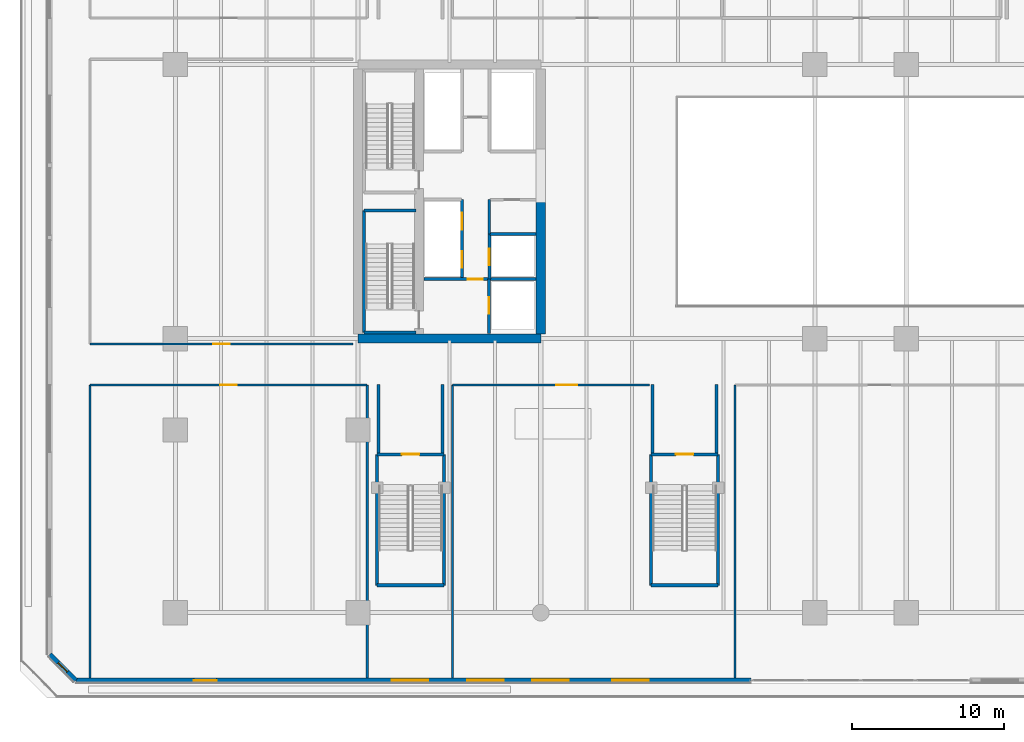
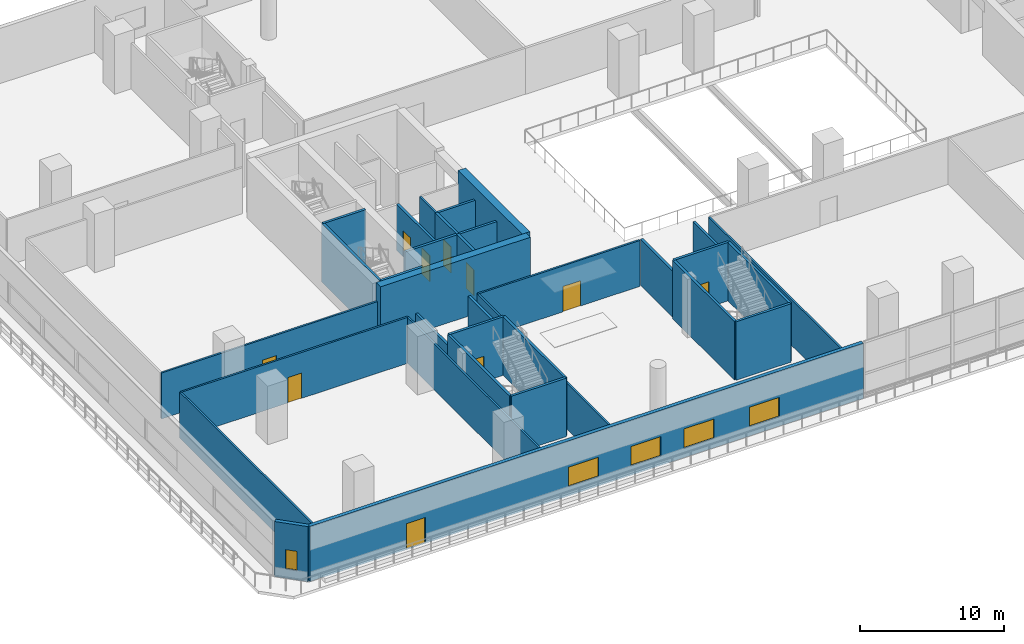
# One storey, part 11 of 27: 32 walls, 11 doors, 5 windows, 16 openings.
"""IFC4 building model written with IfcOpenShell, lengths in metres."""

from ifc_helpers import new_model, si_unit, direction, frame, frame_2d, origin, place, context, subcontext, project, spatial, rectangle, extrude, material, layer, layer_set, type_object, element, fill, save


model = new_model("IFC4")

# Units and contexts
model_context = context("Model", 3, precision=1e-05, world=origin(), true_north=direction((0.0, 1.0)))
body_context = subcontext(model_context, "Body", "Model", "MODEL_VIEW")
ifc_project = project(units=[si_unit("LENGTHUNIT", "METRE"), si_unit("AREAUNIT", "SQUARE_METRE"), si_unit("VOLUMEUNIT", "CUBIC_METRE"), si_unit("PLANEANGLEUNIT", "RADIAN"), si_unit("MASSUNIT", "GRAM", prefix="KILO")], contexts=[model_context])

# Site, building, storey
site_placement = place(None, origin())
site = spatial("IfcSite", under=ifc_project, at=site_placement, CompositionType="ELEMENT")
building_placement = place(site_placement, origin())
building = spatial("IfcBuilding", under=site, at=building_placement, Name="Tanjung Sevakor Pilgrim Tower", CompositionType="ELEMENT")
storey_placement = place(building_placement, frame((0.0, 0.0, 9.89990234375)))
storey = spatial("IfcBuildingStorey", under=building, at=storey_placement, Name="L03", CompositionType="ELEMENT", Elevation=9.89990234375)

# Walls
ifc_material_1 = material(Name="Concrete C60/75", Category="concrete")
ifc_layer_1 = layer(ifc_material_1, 0.60009765625)
ifc_layer_set_1 = layer_set([ifc_layer_1], Name="WALL-CW-600")
wall_type_1 = type_object("IfcWallType", Name="WALL-CW-600", PredefinedType="SHEAR", material=ifc_layer_set_1)
wall_1_placement = place(storey_placement, frame((24.0, 24.60009765625, 0.0), z_axis=(0.0, 0.0, 1.0), x_axis=(1.0, 0.0, 0.0)))
element("IfcWall", 1, at=wall_1_placement, inside=storey, type_object=wall_type_1, Name="L03 W Core South Shear Wall", PredefinedType="SHEAR", context=body_context, shape_type="SweptSolid", body=[
    extrude(rectangle(XDim=12.0, YDim=0.60009765625, at=frame_2d((6.0, 0.0))), origin(), (0.0, 0.0, 1.0), 4.9501953125),
])
wall_2_placement = place(storey_placement, frame((36.0, 24.89990234375, 0.0), z_axis=(0.0, 0.0, 1.0), x_axis=(0.0, 1.0, 0.0)))
element("IfcWall", 2, at=wall_2_placement, inside=storey, type_object=wall_type_1, Name="L03 W Core Inner Shear Wall South", PredefinedType="SHEAR", context=body_context, shape_type="SweptSolid", body=[
    extrude(rectangle(XDim=8.900146484375, YDim=0.60009765625, at=frame_2d((4.4501953125, 0.0))), origin(), (0.0, 0.0, 1.0), 4.9501953125),
])
ifc_material_2 = material(Name="Concrete C40/50", Category="concrete")
ifc_layer_2 = layer(ifc_material_2, 0.14990234375)
ifc_layer_set_2 = layer_set([ifc_layer_2], Name="WT-COMP-150")
wall_type_2 = type_object("IfcWallType", Name="WT-COMP-150", PredefinedType="SOLIDWALL", material=ifc_layer_set_2)
wall_3_placement = place(storey_placement, frame((32.6201171875, 31.47998046875, 0.0), z_axis=(0.0, 0.0, 1.0), x_axis=(0.0, 1.0, 0.0)))
element("IfcWall", 3, at=wall_3_placement, inside=storey, type_object=wall_type_2, Name="L03 Partition IW-L03-008", PredefinedType="SOLIDWALL", context=body_context, shape_type="SweptSolid", body=[
    extrude(rectangle(XDim=2.239990234375, YDim=0.14990234375, at=frame_2d((1.1201171875, 0.0))), origin(), (0.0, 0.0, 1.0), 3.889892578125),
])

# Wall, opening, door
wall_4_placement = place(storey_placement, frame((6.39990234375, 21.550048828125, 0.0), z_axis=(0.0, 0.0, 1.0), x_axis=(1.0, 0.0, 0.0)))
wall_4 = element("IfcWall", 4, at=wall_4_placement, inside=storey, type_object=wall_type_2, Name="L03 Partition IW-L03-039", PredefinedType="SOLIDWALL", context=body_context, shape_type="SweptSolid", body=[
    extrude(rectangle(XDim=18.2001953125, YDim=0.14990234375, at=frame_2d((9.10009765625, 0.0))), origin(), (0.0, 0.0, 1.0), 3.889892578125),
])
opening_1_placement = place(wall_4_placement, frame((8.550048828125, 0.0, 0.0)))
opening_1 = element("IfcOpeningElement", 5, at=opening_1_placement, cuts=wall_4, Name="Opening ID-RM2", PredefinedType="OPENING", context=body_context, shape_type="SweptSolid", body=[
    extrude(rectangle(XDim=1.10009765625, YDim=2.14990234375, at=frame_2d((0.550048828125, 1.074951171875))), frame((0.0, 0.0849609375, 0.0), z_axis=(0.0, -1.0, 0.0), x_axis=(1.0, 0.0, 0.0)), (0.0, 0.0, 1.0), 0.169921875),
])
ifc_material_3 = material(Name="Hardwood Timber", Category="wood")
door_type_1 = type_object("IfcDoorType", Name="DT-INT-1100", OperationType="NOTDEFINED", PredefinedType="DOOR", material=ifc_material_3)
door_1_placement = place(opening_1_placement, origin())
door_1 = element("IfcDoor", 6, at=door_1_placement, inside=storey, type_object=door_type_1, Name="L03 Tea Lounge Door", OperationType="SINGLE_SWING_RIGHT", OverallHeight=2.14990234375, OverallWidth=1.10009765625, PredefinedType="DOOR", context=body_context, shape_type="SweptSolid", body=[
    extrude(rectangle(XDim=1.10009765625, YDim=2.14990234375, at=frame_2d((0.550048828125, 1.074951171875))), frame((0.0, 0.02490234375, 0.0), z_axis=(0.0, -1.0, 0.0), x_axis=(1.0, 0.0, 0.0)), (0.0, 0.0, 1.0), 0.050048828125),
])
fill(opening_1, door_1)

# Walls
for number, where, z_axis, x_axis, name in (
    (7, (6.39990234375, 2.300048828125, 0.0), (0.0, 0.0, 1.0), (0.0, 1.0, 0.0), "L03 Partition IW-L03-040"),
    (8, (24.60009765625, 2.300048828125, 0.0), (0.0, 0.0, 1.0), (0.0, 1.0, 0.0), "L03 Partition IW-L03-041"),
):
    element("IfcWall", number, at=place(storey_placement, frame(where, z_axis=z_axis, x_axis=x_axis)), inside=storey, type_object=wall_type_2, Name=name, PredefinedType="SOLIDWALL", context=body_context, shape_type="SweptSolid", body=[
        extrude(rectangle(XDim=19.25, YDim=0.14990234375, at=frame_2d((9.625, 0.0))), origin(), (0.0, 0.0, 1.0), 3.889892578125),
    ])

# Wall, opening, door
wall_5_placement = place(storey_placement, frame((30.199951171875, 21.550048828125, 0.0), z_axis=(0.0, 0.0, 1.0), x_axis=(1.0, 0.0, 0.0)))
wall_5 = element("IfcWall", 9, at=wall_5_placement, inside=storey, type_object=wall_type_2, Name="L03 Partition IW-L03-042", PredefinedType="SOLIDWALL", context=body_context, shape_type="SweptSolid", body=[
    extrude(rectangle(XDim=12.949951171875, YDim=0.14990234375, at=frame_2d((6.47509765625, 0.0))), origin(), (0.0, 0.0, 1.0), 3.889892578125),
])
opening_2_placement = place(wall_5_placement, frame((6.800048828125, 0.0, 0.0)))
opening_2 = element("IfcOpeningElement", 10, at=opening_2_placement, cuts=wall_5, Name="Opening ID-HD1", PredefinedType="OPENING", context=body_context, shape_type="SweptSolid", body=[
    extrude(rectangle(XDim=1.39990234375, YDim=2.14990234375, at=frame_2d((0.699951171875, 1.074951171875))), frame((0.0, 0.0849609375, 0.0), z_axis=(0.0, -1.0, 0.0), x_axis=(1.0, 0.0, 0.0)), (0.0, 0.0, 1.0), 0.169921875),
])
ifc_material_4 = material(Name="Hardwood Timber", Category="wood")
door_type_2 = type_object("IfcDoorType", Name="DT-INT-1400", OperationType="DOUBLE_DOOR_SINGLE_SWING", PredefinedType="DOOR", material=ifc_material_4)
door_2_placement = place(opening_2_placement, origin())
door_2 = element("IfcDoor", 11, at=door_2_placement, inside=storey, type_object=door_type_2, Name="L03 West Dining Door", OperationType="SINGLE_SWING_LEFT", OverallHeight=2.14990234375, OverallWidth=1.39990234375, PredefinedType="DOOR", context=body_context, shape_type="SweptSolid", body=[
    extrude(rectangle(XDim=1.39990234375, YDim=2.14990234375, at=frame_2d((0.699951171875, 1.074951171875))), frame((0.0, 0.02490234375, 0.0), z_axis=(0.0, -1.0, 0.0), x_axis=(1.0, 0.0, 0.0)), (0.0, 0.0, 1.0), 0.050048828125),
])
fill(opening_2, door_2)

# Walls
for number, where, z_axis, x_axis, name in (
    (12, (30.199951171875, 2.300048828125, 0.0), (0.0, 0.0, 1.0), (0.0, 1.0, 0.0), "L03 Partition IW-L03-043"),
    (13, (48.75, 2.300048828125, 0.0), (0.0, 0.0, 1.0), (0.0, 1.0, 0.0), "L03 Partition IW-L03-045"),
):
    element("IfcWall", number, at=place(storey_placement, frame(where, z_axis=z_axis, x_axis=x_axis)), inside=storey, type_object=wall_type_2, Name=name, PredefinedType="SOLIDWALL", context=body_context, shape_type="SweptSolid", body=[
        extrude(rectangle(XDim=19.25, YDim=0.14990234375, at=frame_2d((9.625, 0.0))), origin(), (0.0, 0.0, 1.0), 3.889892578125),
    ])

# Wall, opening, door
wall_6_placement = place(storey_placement, frame((6.39990234375, 24.25, 0.0), z_axis=(0.0, 0.0, 1.0), x_axis=(1.0, 0.0, 0.0)))
wall_6 = element("IfcWall", 14, at=wall_6_placement, inside=storey, type_object=wall_type_2, Name="L03 Partition IW-L03-062", PredefinedType="SOLIDWALL", context=body_context, shape_type="SweptSolid", body=[
    extrude(rectangle(XDim=17.280029296875, YDim=0.14990234375, at=frame_2d((8.64013671875, 0.0))), origin(), (0.0, 0.0, 1.0), 3.889892578125),
])
opening_3_placement = place(wall_6_placement, frame((8.090087890625, 0.0, 0.0)))
opening_3 = element("IfcOpeningElement", 15, at=opening_3_placement, cuts=wall_6, Name="Opening ID-RM2", PredefinedType="OPENING", context=body_context, shape_type="SweptSolid", body=[
    extrude(rectangle(XDim=1.10009765625, YDim=2.14990234375, at=frame_2d((0.550048828125, 1.074951171875))), frame((0.0, 0.0849609375, 0.0), z_axis=(0.0, -1.0, 0.0), x_axis=(1.0, 0.0, 0.0)), (0.0, 0.0, 1.0), 0.169921875),
])
door_3_placement = place(opening_3_placement, origin())
door_3 = element("IfcDoor", 16, at=door_3_placement, inside=storey, type_object=door_type_1, Name="L03 West Council Door", OperationType="SINGLE_SWING_LEFT", OverallHeight=2.14990234375, OverallWidth=1.10009765625, PredefinedType="DOOR", context=body_context, shape_type="SweptSolid", body=[
    extrude(rectangle(XDim=1.10009765625, YDim=2.14990234375, at=frame_2d((0.550048828125, 1.074951171875))), frame((0.0, 0.02490234375, 0.0), z_axis=(0.0, -1.0, 0.0), x_axis=(1.0, 0.0, 0.0)), (0.0, 0.0, 1.0), 0.050048828125),
])
fill(opening_3, door_3)

# Wall, openings, door, windows
ifc_material_5 = material(Name="Precast concrete C45/55", Category="concrete")
ifc_layer_3 = layer(ifc_material_5, 0.300048828125)
ifc_layer_set_3 = layer_set([ifc_layer_3], Name="WT-EW-STN1")
wall_type_3 = type_object("IfcWallType", Name="WT-EW-STN1", PredefinedType="SOLIDWALL", material=ifc_layer_set_3)
wall_7_placement = place(storey_placement, frame((5.462158203125, 2.14990234375, 0.0), z_axis=(0.0, 0.0, 1.0), x_axis=(1.0, 0.0, 0.0)))
wall_7 = element("IfcWall", 17, at=wall_7_placement, inside=storey, type_object=wall_type_3, Name="L03 Cascading Podium Limestone Wall S1", PredefinedType="SOLIDWALL", context=body_context, shape_type="SweptSolid", body=[
    extrude(rectangle(XDim=44.337890625, YDim=0.300048828125, at=frame_2d((22.1689453125, 0.0))), origin(), (0.0, 0.0, 1.0), 4.669921875),
])
opening_4_placement = place(wall_7_placement, frame((7.75, 0.0, 0.0)))
opening_4 = element("IfcOpeningElement", 18, at=opening_4_placement, cuts=wall_7, Name="Opening ED-TER-1500", PredefinedType="OPENING", context=body_context, shape_type="SweptSolid", body=[
    extrude(rectangle(XDim=1.5, YDim=2.199951171875, at=frame_2d((0.75, 1.10009765625))), frame((0.0, 0.159912109375, 0.0), z_axis=(0.0, -1.0, 0.0), x_axis=(1.0, 0.0, 0.0)), (0.0, 0.0, 1.0), 0.320068359375),
])
opening_5_placement = place(wall_7_placement, frame((29.98779296875, 0.0, 0.780029296875)))
opening_5 = element("IfcOpeningElement", 19, at=opening_5_placement, cuts=wall_7, Name="Opening WN-P1-1660", PredefinedType="OPENING", context=body_context, shape_type="SweptSolid", body=[
    extrude(rectangle(XDim=2.39990234375, YDim=1.659912109375, at=frame_2d((1.199951171875, 0.830078125))), frame((0.0, 0.159912109375, 0.0), z_axis=(0.0, -1.0, 0.0), x_axis=(1.0, 0.0, 0.0)), (0.0, 0.0, 1.0), 0.320068359375),
])
opening_6_placement = place(wall_7_placement, frame((20.73779296875, 0.0, 0.780029296875)))
opening_6 = element("IfcOpeningElement", 20, at=opening_6_placement, cuts=wall_7, Name="Opening WN-P1-1660", PredefinedType="OPENING", context=body_context, shape_type="SweptSolid", body=[
    extrude(rectangle(XDim=2.39990234375, YDim=1.659912109375, at=frame_2d((1.199951171875, 0.830078125))), frame((0.0, 0.159912109375, 0.0), z_axis=(0.0, -1.0, 0.0), x_axis=(1.0, 0.0, 0.0)), (0.0, 0.0, 1.0), 0.320068359375),
])
opening_7_placement = place(wall_7_placement, frame((25.718994140625, 0.0, 0.780029296875)))
opening_7 = element("IfcOpeningElement", 21, at=opening_7_placement, cuts=wall_7, Name="Opening WN-P1-1660", PredefinedType="OPENING", context=body_context, shape_type="SweptSolid", body=[
    extrude(rectangle(XDim=2.39990234375, YDim=1.659912109375, at=frame_2d((1.199951171875, 0.830078125))), frame((0.0, 0.159912109375, 0.0), z_axis=(0.0, -1.0, 0.0), x_axis=(1.0, 0.0, 0.0)), (0.0, 0.0, 1.0), 0.320068359375),
])
opening_8_placement = place(wall_7_placement, frame((35.218994140625, 0.0, 0.780029296875)))
opening_8 = element("IfcOpeningElement", 22, at=opening_8_placement, cuts=wall_7, Name="Opening WN-P1-1660", PredefinedType="OPENING", context=body_context, shape_type="SweptSolid", body=[
    extrude(rectangle(XDim=2.39990234375, YDim=1.659912109375, at=frame_2d((1.199951171875, 0.830078125))), frame((0.0, 0.159912109375, 0.0), z_axis=(0.0, -1.0, 0.0), x_axis=(1.0, 0.0, 0.0)), (0.0, 0.0, 1.0), 0.320068359375),
])
ifc_material_6 = material(Name="Anodised Aluminium and Laminated Glass", Category="aluminium")
door_type_3 = type_object("IfcDoorType", Name="DTYP-ED-TER-1500", OperationType="DOUBLE_DOOR_SINGLE_SWING", PredefinedType="DOOR", material=ifc_material_6)
door_4_placement = place(opening_4_placement, frame((1.5, 0.0, 0.0), z_axis=(0.0, 0.0, 1.0), x_axis=(-1.0, 0.0, 0.0)))
door_4 = element("IfcDoor", 23, at=door_4_placement, inside=storey, type_object=door_type_3, Name="L03 Cascading Garden Terrace Door S", OperationType="SINGLE_SWING_RIGHT", OverallHeight=2.199951171875, OverallWidth=1.5, PredefinedType="DOOR", context=body_context, shape_type="SweptSolid", body=[
    extrude(rectangle(XDim=1.5, YDim=2.199951171875, at=frame_2d((0.75, 1.10009765625))), frame((0.0, 0.02490234375, 0.0), z_axis=(0.0, -1.0, 0.0), x_axis=(1.0, 0.0, 0.0)), (0.0, 0.0, 1.0), 0.050048828125),
])
fill(opening_4, door_4)
ifc_material_7 = material(Name="Thermally Broken Aluminium and Low-E Glass", Category="aluminium")
window_type_1 = type_object("IfcWindowType", Name="WTYP-WN-P1-1660", PartitioningType="DOUBLE_PANEL_VERTICAL", PredefinedType="WINDOW", material=ifc_material_7)
window_1_placement = place(opening_5_placement, origin())
window_1 = element("IfcWindow", 24, at=window_1_placement, inside=storey, type_object=window_type_1, Name="L03 Facade Window 01", OverallHeight=1.659912109375, OverallWidth=2.39990234375, PartitioningType="SINGLE_PANEL", PredefinedType="WINDOW", context=body_context, shape_type="SweptSolid", body=[
    extrude(rectangle(XDim=2.39990234375, YDim=1.659912109375, at=frame_2d((1.199951171875, 0.830078125))), frame((0.0, 0.030029296875, 0.0), z_axis=(0.0, -1.0, 0.0), x_axis=(1.0, 0.0, 0.0)), (0.0, 0.0, 1.0), 0.06005859375),
])
fill(opening_5, window_1)
window_2_placement = place(opening_6_placement, origin())
window_2 = element("IfcWindow", 25, at=window_2_placement, inside=storey, type_object=window_type_1, Name="L03 Facade Window 02", OverallHeight=1.659912109375, OverallWidth=2.39990234375, PartitioningType="SINGLE_PANEL", PredefinedType="WINDOW", context=body_context, shape_type="SweptSolid", body=[
    extrude(rectangle(XDim=2.39990234375, YDim=1.659912109375, at=frame_2d((1.199951171875, 0.830078125))), frame((0.0, 0.030029296875, 0.0), z_axis=(0.0, -1.0, 0.0), x_axis=(1.0, 0.0, 0.0)), (0.0, 0.0, 1.0), 0.06005859375),
])
fill(opening_6, window_2)
window_3_placement = place(opening_7_placement, origin())
window_3 = element("IfcWindow", 26, at=window_3_placement, inside=storey, type_object=window_type_1, Name="L03 Facade Window 03", OverallHeight=1.659912109375, OverallWidth=2.39990234375, PartitioningType="SINGLE_PANEL", PredefinedType="WINDOW", context=body_context, shape_type="SweptSolid", body=[
    extrude(rectangle(XDim=2.39990234375, YDim=1.659912109375, at=frame_2d((1.199951171875, 0.830078125))), frame((0.0, 0.030029296875, 0.0), z_axis=(0.0, -1.0, 0.0), x_axis=(1.0, 0.0, 0.0)), (0.0, 0.0, 1.0), 0.06005859375),
])
fill(opening_7, window_3)
window_4_placement = place(opening_8_placement, origin())
window_4 = element("IfcWindow", 27, at=window_4_placement, inside=storey, type_object=window_type_1, Name="L03 Facade Window 04", OverallHeight=1.659912109375, OverallWidth=2.39990234375, PartitioningType="SINGLE_PANEL", PredefinedType="WINDOW", context=body_context, shape_type="SweptSolid", body=[
    extrude(rectangle(XDim=2.39990234375, YDim=1.659912109375, at=frame_2d((1.199951171875, 0.830078125))), frame((0.0, 0.030029296875, 0.0), z_axis=(0.0, -1.0, 0.0), x_axis=(1.0, 0.0, 0.0)), (0.0, 0.0, 1.0), 0.06005859375),
])
fill(opening_8, window_4)

# Wall, opening, window
wall_8_placement = place(storey_placement, frame((3.75, 3.862060546875, 0.0), z_axis=(0.0, 0.0, 1.0), x_axis=(0.707106781187, -0.707106781187, 0.0)))
wall_8 = element("IfcWall", 28, at=wall_8_placement, inside=storey, type_object=wall_type_3, Name="L03 MAIN Exterior Wall 8", PredefinedType="SOLIDWALL", context=body_context, shape_type="SweptSolid", body=[
    extrude(rectangle(XDim=2.42138671875, YDim=0.300048828125, at=frame_2d((1.210693359375, 0.0))), origin(), (0.0, 0.0, 1.0), 4.669921875),
])
opening_9_placement = place(wall_8_placement, frame((0.78564453125, 0.0, 0.780029296875)))
opening_9 = element("IfcOpeningElement", 29, at=opening_9_placement, cuts=wall_8, Name="Opening WN-SLM", PredefinedType="OPENING", context=body_context, shape_type="SweptSolid", body=[
    extrude(rectangle(XDim=0.85009765625, YDim=1.64990234375, at=frame_2d((0.425048828125, 0.824951171875))), frame((0.0, 0.159912109375, 0.0), z_axis=(0.0, -1.0, 0.0), x_axis=(1.0, 0.0, 0.0)), (0.0, 0.0, 1.0), 0.320068359375),
])
ifc_material_8 = material(Name="Thermally Broken Aluminium and Low-E Glass", Category="aluminium")
window_type_2 = type_object("IfcWindowType", Name="WTYP-WN-SLM", PartitioningType="SINGLE_PANEL", PredefinedType="WINDOW", material=ifc_material_8)
window_5_placement = place(opening_9_placement, origin())
window_5 = element("IfcWindow", 30, at=window_5_placement, inside=storey, type_object=window_type_2, Name="L03 Facade Window 01", OverallHeight=1.64990234375, OverallWidth=0.85009765625, PartitioningType="SINGLE_PANEL", PredefinedType="WINDOW", context=body_context, shape_type="SweptSolid", body=[
    extrude(rectangle(XDim=0.85009765625, YDim=1.64990234375, at=frame_2d((0.425048828125, 0.824951171875))), frame((0.0, 0.030029296875, 0.0), z_axis=(0.0, -1.0, 0.0), x_axis=(1.0, 0.0, 0.0)), (0.0, 0.0, 1.0), 0.06005859375),
])
fill(opening_9, window_5)

# Walls
ifc_material_9 = material(Name="Concrete C40/50", Category="concrete")
ifc_layer_4 = layer(ifc_material_9, 0.199951171875)
ifc_layer_set_4 = layer_set([ifc_layer_4], Name="WT-FIRE-200")
wall_type_4 = type_object("IfcWallType", Name="WT-FIRE-200", PredefinedType="SOLIDWALL", material=ifc_layer_set_4)
for number, where, z_axis, x_axis, name in (
    (31, (24.39990234375, 25.0, 0.0), (0.0, 0.0, 1.0), (1.0, 0.0, 0.0), "L03 TS-W1 Shaft Wall 1"),
    (32, (27.800048828125, 33.0, 0.0), (0.0, 0.0, 1.0), (-1.0, 0.0, 0.0), "L03 TS-W1 Shaft Wall 2"),
):
    element("IfcWall", number, at=place(storey_placement, frame(where, z_axis=z_axis, x_axis=x_axis)), inside=storey, type_object=wall_type_4, Name=name, PredefinedType="SOLIDWALL", context=body_context, shape_type="SweptSolid", body=[
        extrude(rectangle(XDim=3.400146484375, YDim=0.199951171875, at=frame_2d((1.7001953125, 0.0))), origin(), (0.0, 0.0, 1.0), 4.9501953125),
    ])
wall_9_placement = place(storey_placement, frame((24.39990234375, 33.0, 0.0), z_axis=(0.0, 0.0, 1.0), x_axis=(0.0, -1.0, 0.0)))
element("IfcWall", 33, at=wall_9_placement, inside=storey, type_object=wall_type_4, Name="L03 TS-W1 Shaft Wall 3", PredefinedType="SOLIDWALL", context=body_context, shape_type="SweptSolid", body=[
    extrude(rectangle(XDim=8.0, YDim=0.199951171875, at=frame_2d((4.0, 0.0))), origin(), (0.0, 0.0, 1.0), 4.9501953125),
])
wall_10_placement = place(storey_placement, frame((25.25, 8.39990234375, 0.0), z_axis=(0.0, 0.0, 1.0), x_axis=(1.0, 0.0, 0.0)))
element("IfcWall", 34, at=wall_10_placement, inside=storey, type_object=wall_type_4, Name="L03 PS-1 Shaft Wall 1", PredefinedType="SOLIDWALL", context=body_context, shape_type="SweptSolid", body=[
    extrude(rectangle(XDim=4.39990234375, YDim=0.199951171875, at=frame_2d((2.199951171875, 0.0))), origin(), (0.0, 0.0, 1.0), 4.9501953125),
])
wall_11_placement = place(storey_placement, frame((29.64990234375, 8.39990234375, 0.0), z_axis=(0.0, 0.0, 1.0), x_axis=(0.0, 1.0, 0.0)))
element("IfcWall", 35, at=wall_11_placement, inside=storey, type_object=wall_type_4, Name="L03 PS-1 Shaft Wall 2", PredefinedType="SOLIDWALL", context=body_context, shape_type="SweptSolid", body=[
    extrude(rectangle(XDim=8.60009765625, YDim=0.199951171875, at=frame_2d((4.300048828125, 0.0))), origin(), (0.0, 0.0, 1.0), 4.9501953125),
])

# Wall, opening, door
wall_12_placement = place(storey_placement, frame((29.64990234375, 17.0, 0.0), z_axis=(0.0, 0.0, 1.0), x_axis=(-1.0, 0.0, 0.0)))
wall_12 = element("IfcWall", 36, at=wall_12_placement, inside=storey, type_object=wall_type_4, Name="L03 PS-1 Shaft Wall 3", PredefinedType="SOLIDWALL", context=body_context, shape_type="SweptSolid", body=[
    extrude(rectangle(XDim=4.39990234375, YDim=0.199951171875, at=frame_2d((2.199951171875, 0.0))), origin(), (0.0, 0.0, 1.0), 4.9501953125),
])
opening_10_placement = place(wall_12_placement, frame((1.625, 0.0, 0.0)))
opening_10 = element("IfcOpeningElement", 37, at=opening_10_placement, cuts=wall_12, Name="Opening ID-ST1", PredefinedType="OPENING", context=body_context, shape_type="SweptSolid", body=[
    extrude(rectangle(XDim=1.14990234375, YDim=2.14990234375, at=frame_2d((0.574951171875, 1.074951171875))), frame((0.0, 0.10986328125, 0.0), z_axis=(0.0, -1.0, 0.0), x_axis=(1.0, 0.0, 0.0)), (0.0, 0.0, 1.0), 0.219970703125),
])
ifc_material_10 = material(Name="Fire-Rated Steel S355J2", Category="steel")
door_type_4 = type_object("IfcDoorType", Name="DT-FIRE-1150", OperationType="NOTDEFINED", PredefinedType="DOOR", material=ifc_material_10)
door_5_placement = place(opening_10_placement, origin())
door_5 = element("IfcDoor", 38, at=door_5_placement, inside=storey, type_object=door_type_4, Name="L03 PS-1 Stair Entry Fire Door", OperationType="SINGLE_SWING_RIGHT", OverallHeight=2.14990234375, OverallWidth=1.14990234375, PredefinedType="DOOR", context=body_context, shape_type="SweptSolid", body=[
    extrude(rectangle(XDim=1.14990234375, YDim=2.14990234375, at=frame_2d((0.574951171875, 1.074951171875))), frame((0.0, 0.02490234375, 0.0), z_axis=(0.0, -1.0, 0.0), x_axis=(1.0, 0.0, 0.0)), (0.0, 0.0, 1.0), 0.050048828125),
])
fill(opening_10, door_5)

# Walls
wall_13_placement = place(storey_placement, frame((25.25, 17.0, 0.0), z_axis=(0.0, 0.0, 1.0), x_axis=(0.0, -1.0, 0.0)))
element("IfcWall", 39, at=wall_13_placement, inside=storey, type_object=wall_type_4, Name="L03 PS-1 Shaft Wall 4", PredefinedType="SOLIDWALL", context=body_context, shape_type="SweptSolid", body=[
    extrude(rectangle(XDim=8.60009765625, YDim=0.199951171875, at=frame_2d((4.300048828125, 0.0))), origin(), (0.0, 0.0, 1.0), 4.9501953125),
])
wall_14_placement = place(storey_placement, frame((43.25, 8.39990234375, 0.0), z_axis=(0.0, 0.0, 1.0), x_axis=(1.0, 0.0, 0.0)))
element("IfcWall", 40, at=wall_14_placement, inside=storey, type_object=wall_type_4, Name="L03 PS-3 Shaft Wall 1", PredefinedType="SOLIDWALL", context=body_context, shape_type="SweptSolid", body=[
    extrude(rectangle(XDim=4.39990234375, YDim=0.199951171875, at=frame_2d((2.199951171875, 0.0))), origin(), (0.0, 0.0, 1.0), 4.9501953125),
])
wall_15_placement = place(storey_placement, frame((47.64990234375, 8.39990234375, 0.0), z_axis=(0.0, 0.0, 1.0), x_axis=(0.0, 1.0, 0.0)))
element("IfcWall", 41, at=wall_15_placement, inside=storey, type_object=wall_type_4, Name="L03 PS-3 Shaft Wall 2", PredefinedType="SOLIDWALL", context=body_context, shape_type="SweptSolid", body=[
    extrude(rectangle(XDim=8.60009765625, YDim=0.199951171875, at=frame_2d((4.300048828125, 0.0))), origin(), (0.0, 0.0, 1.0), 4.9501953125),
])

# Wall, opening, door
wall_16_placement = place(storey_placement, frame((47.64990234375, 17.0, 0.0), z_axis=(0.0, 0.0, 1.0), x_axis=(-1.0, 0.0, 0.0)))
wall_16 = element("IfcWall", 42, at=wall_16_placement, inside=storey, type_object=wall_type_4, Name="L03 PS-3 Shaft Wall 3", PredefinedType="SOLIDWALL", context=body_context, shape_type="SweptSolid", body=[
    extrude(rectangle(XDim=4.39990234375, YDim=0.199951171875, at=frame_2d((2.199951171875, 0.0))), origin(), (0.0, 0.0, 1.0), 4.9501953125),
])
opening_11_placement = place(wall_16_placement, frame((1.625, 0.0, 0.0)))
opening_11 = element("IfcOpeningElement", 43, at=opening_11_placement, cuts=wall_16, Name="Opening ID-ST1", PredefinedType="OPENING", context=body_context, shape_type="SweptSolid", body=[
    extrude(rectangle(XDim=1.14990234375, YDim=2.14990234375, at=frame_2d((0.574951171875, 1.074951171875))), frame((0.0, 0.10986328125, 0.0), z_axis=(0.0, -1.0, 0.0), x_axis=(1.0, 0.0, 0.0)), (0.0, 0.0, 1.0), 0.219970703125),
])
door_6_placement = place(opening_11_placement, origin())
door_6 = element("IfcDoor", 44, at=door_6_placement, inside=storey, type_object=door_type_4, Name="L03 PS-3 Stair Entry Fire Door", OperationType="SINGLE_SWING_RIGHT", OverallHeight=2.14990234375, OverallWidth=1.14990234375, PredefinedType="DOOR", context=body_context, shape_type="SweptSolid", body=[
    extrude(rectangle(XDim=1.14990234375, YDim=2.14990234375, at=frame_2d((0.574951171875, 1.074951171875))), frame((0.0, 0.02490234375, 0.0), z_axis=(0.0, -1.0, 0.0), x_axis=(1.0, 0.0, 0.0)), (0.0, 0.0, 1.0), 0.050048828125),
])
fill(opening_11, door_6)

# Wall
wall_17_placement = place(storey_placement, frame((43.25, 17.0, 0.0), z_axis=(0.0, 0.0, 1.0), x_axis=(0.0, -1.0, 0.0)))
element("IfcWall", 45, at=wall_17_placement, inside=storey, type_object=wall_type_4, Name="L03 PS-3 Shaft Wall 4", PredefinedType="SOLIDWALL", context=body_context, shape_type="SweptSolid", body=[
    extrude(rectangle(XDim=8.60009765625, YDim=0.199951171875, at=frame_2d((4.300048828125, 0.0))), origin(), (0.0, 0.0, 1.0), 4.9501953125),
])

# Wall, opening, door
ifc_material_11 = material(Name="Concrete C40/50", Category="concrete")
ifc_layer_5 = layer(ifc_material_11, 0.199951171875)
ifc_layer_set_5 = layer_set([ifc_layer_5], Name="WT-FPRT-200")
wall_type_5 = type_object("IfcWallType", Name="WT-FPRT-200", PredefinedType="SOLIDWALL", material=ifc_layer_set_5)
wall_18_placement = place(storey_placement, frame((32.60009765625, 24.919921875, 0.0), z_axis=(0.0, 0.0, 1.0), x_axis=(0.0, 1.0, 0.0)))
wall_18 = element("IfcWall", 46, at=wall_18_placement, inside=storey, type_object=wall_type_5, Name="L03 Partition IW-L03-001", PredefinedType="SOLIDWALL", context=body_context, shape_type="SweptSolid", body=[
    extrude(rectangle(XDim=3.580078125, YDim=0.199951171875, at=frame_2d((1.7900390625, 0.0))), origin(), (0.0, 0.0, 1.0), 3.889892578125),
])
opening_12_placement = place(wall_18_placement, frame((1.300048828125, 0.0, 0.0)))
opening_12 = element("IfcOpeningElement", 47, at=opening_12_placement, cuts=wall_18, Name="Opening LD-1100", PredefinedType="OPENING", context=body_context, shape_type="SweptSolid", body=[
    extrude(rectangle(XDim=1.10009765625, YDim=2.199951171875, at=frame_2d((0.550048828125, 1.10009765625))), frame((0.0, 0.10986328125, 0.0), z_axis=(0.0, -1.0, 0.0), x_axis=(1.0, 0.0, 0.0)), (0.0, 0.0, 1.0), 0.219970703125),
])
ifc_material_12 = material(Name="Brushed Stainless Steel S355J2", Category="steel")
door_type_5 = type_object("IfcDoorType", Name="DT-LIFT-1100", OperationType="SLIDING_TO_LEFT", PredefinedType="DOOR", material=ifc_material_12)
door_7_placement = place(opening_12_placement, origin())
door_7 = element("IfcDoor", 48, at=door_7_placement, inside=storey, type_object=door_type_5, Name="LD-FL-W", OperationType="SLIDING_TO_LEFT", OverallHeight=2.199951171875, OverallWidth=1.10009765625, PredefinedType="DOOR", context=body_context, shape_type="SweptSolid", body=[
    extrude(rectangle(XDim=1.10009765625, YDim=2.199951171875, at=frame_2d((0.550048828125, 1.10009765625))), frame((0.0, 0.02490234375, 0.0), z_axis=(0.0, -1.0, 0.0), x_axis=(1.0, 0.0, 0.0)), (0.0, 0.0, 1.0), 0.050048828125),
])
fill(opening_12, door_7)

wall_19_placement = place(storey_placement, frame((28.320068359375, 28.5, 0.0), z_axis=(0.0, 0.0, 1.0), x_axis=(1.0, 0.0, 0.0)))
wall_19 = element("IfcWall", 49, at=wall_19_placement, inside=storey, type_object=wall_type_5, Name="L03 Partition IW-L03-002", PredefinedType="SOLIDWALL", context=body_context, shape_type="SweptSolid", body=[
    extrude(rectangle(XDim=7.35986328125, YDim=0.199951171875, at=frame_2d((3.679931640625, 0.0))), origin(), (0.0, 0.0, 1.0), 3.889892578125),
])
opening_13_placement = place(wall_19_placement, frame((2.8798828125, 0.0, 0.0)))
opening_13 = element("IfcOpeningElement", 50, at=opening_13_placement, cuts=wall_19, Name="Opening ID-FD1", PredefinedType="OPENING", context=body_context, shape_type="SweptSolid", body=[
    extrude(rectangle(XDim=1.0, YDim=2.14990234375, at=frame_2d((0.5, 1.074951171875))), frame((0.0, 0.10986328125, 0.0), z_axis=(0.0, -1.0, 0.0), x_axis=(1.0, 0.0, 0.0)), (0.0, 0.0, 1.0), 0.219970703125),
])
ifc_material_13 = material(Name="Fire-Rated Steel S355J2", Category="steel")
door_type_6 = type_object("IfcDoorType", Name="DT-FIRE-1000", OperationType="NOTDEFINED", PredefinedType="DOOR", material=ifc_material_13)
door_8_placement = place(opening_13_placement, origin())
door_8 = element("IfcDoor", 51, at=door_8_placement, inside=storey, type_object=door_type_6, Name="Fire Lobby Door W", OperationType="SINGLE_SWING_LEFT", OverallHeight=2.14990234375, OverallWidth=1.0, PredefinedType="DOOR", context=body_context, shape_type="SweptSolid", body=[
    extrude(rectangle(XDim=1.0, YDim=2.14990234375, at=frame_2d((0.5, 1.074951171875))), frame((0.0, 0.02490234375, 0.0), z_axis=(0.0, -1.0, 0.0), x_axis=(1.0, 0.0, 0.0)), (0.0, 0.0, 1.0), 0.050048828125),
])
fill(opening_13, door_8)

# Wall, openings, doors
wall_20_placement = place(storey_placement, frame((30.820068359375, 28.5, 0.0), z_axis=(0.0, 0.0, 1.0), x_axis=(0.0, 1.0, 0.0)))
wall_20 = element("IfcWall", 52, at=wall_20_placement, inside=storey, type_object=wall_type_5, Name="L03 Partition IW-L03-005", PredefinedType="SOLIDWALL", context=body_context, shape_type="SweptSolid", body=[
    extrude(rectangle(XDim=5.219970703125, YDim=0.199951171875, at=frame_2d((2.60986328125, 0.0))), origin(), (0.0, 0.0, 1.0), 3.889892578125),
])
opening_14_placement = place(wall_20_placement, frame((0.75, 0.0, 0.0)))
opening_14 = element("IfcOpeningElement", 53, at=opening_14_placement, cuts=wall_20, Name="Opening LD-1100", PredefinedType="OPENING", context=body_context, shape_type="SweptSolid", body=[
    extrude(rectangle(XDim=1.10009765625, YDim=2.199951171875, at=frame_2d((0.550048828125, 1.10009765625))), frame((0.0, 0.10986328125, 0.0), z_axis=(0.0, -1.0, 0.0), x_axis=(1.0, 0.0, 0.0)), (0.0, 0.0, 1.0), 0.219970703125),
])
opening_15_placement = place(wall_20_placement, frame((3.25, 0.0, 0.0)))
opening_15 = element("IfcOpeningElement", 54, at=opening_15_placement, cuts=wall_20, Name="Opening LD-1100", PredefinedType="OPENING", context=body_context, shape_type="SweptSolid", body=[
    extrude(rectangle(XDim=1.10009765625, YDim=2.199951171875, at=frame_2d((0.550048828125, 1.10009765625))), frame((0.0, 0.10986328125, 0.0), z_axis=(0.0, -1.0, 0.0), x_axis=(1.0, 0.0, 0.0)), (0.0, 0.0, 1.0), 0.219970703125),
])
door_9_placement = place(opening_14_placement, origin())
door_9 = element("IfcDoor", 55, at=door_9_placement, inside=storey, type_object=door_type_5, Name="LD-PLL1-W", OperationType="SLIDING_TO_LEFT", OverallHeight=2.199951171875, OverallWidth=1.10009765625, PredefinedType="DOOR", context=body_context, shape_type="SweptSolid", body=[
    extrude(rectangle(XDim=1.10009765625, YDim=2.199951171875, at=frame_2d((0.550048828125, 1.10009765625))), frame((0.0, 0.02490234375, 0.0), z_axis=(0.0, -1.0, 0.0), x_axis=(1.0, 0.0, 0.0)), (0.0, 0.0, 1.0), 0.050048828125),
])
fill(opening_14, door_9)
door_10_placement = place(opening_15_placement, origin())
door_10 = element("IfcDoor", 56, at=door_10_placement, inside=storey, type_object=door_type_5, Name="LD-PLL2-W", OperationType="SLIDING_TO_RIGHT", OverallHeight=2.199951171875, OverallWidth=1.10009765625, PredefinedType="DOOR", context=body_context, shape_type="SweptSolid", body=[
    extrude(rectangle(XDim=1.10009765625, YDim=2.199951171875, at=frame_2d((0.550048828125, 1.10009765625))), frame((0.0, 0.02490234375, 0.0), z_axis=(0.0, -1.0, 0.0), x_axis=(1.0, 0.0, 0.0)), (0.0, 0.0, 1.0), 0.050048828125),
])
fill(opening_15, door_10)

# Wall
wall_21_placement = place(storey_placement, frame((32.679931640625, 31.47998046875, 0.0), z_axis=(0.0, 0.0, 1.0), x_axis=(1.0, 0.0, 0.0)))
element("IfcWall", 57, at=wall_21_placement, inside=storey, type_object=wall_type_5, Name="L03 Partition IW-L03-006", PredefinedType="SOLIDWALL", context=body_context, shape_type="SweptSolid", body=[
    extrude(rectangle(XDim=3.0, YDim=0.199951171875, at=frame_2d((1.5, 0.0))), origin(), (0.0, 0.0, 1.0), 3.889892578125),
])

# Wall, opening, door
wall_22_placement = place(storey_placement, frame((32.6201171875, 28.5, 0.0), z_axis=(0.0, 0.0, 1.0), x_axis=(0.0, 1.0, 0.0)))
wall_22 = element("IfcWall", 58, at=wall_22_placement, inside=storey, type_object=wall_type_5, Name="L03 Partition IW-L03-007", PredefinedType="SOLIDWALL", context=body_context, shape_type="SweptSolid", body=[
    extrude(rectangle(XDim=2.97998046875, YDim=0.199951171875, at=frame_2d((1.489990234375, 0.0))), origin(), (0.0, 0.0, 1.0), 3.889892578125),
])
opening_16_placement = place(wall_22_placement, frame((0.89990234375, 0.0, 0.0)))
opening_16 = element("IfcOpeningElement", 59, at=opening_16_placement, cuts=wall_22, Name="Opening LD-1100", PredefinedType="OPENING", context=body_context, shape_type="SweptSolid", body=[
    extrude(rectangle(XDim=1.10009765625, YDim=2.199951171875, at=frame_2d((0.550048828125, 1.10009765625))), frame((0.0, 0.10986328125, 0.0), z_axis=(0.0, -1.0, 0.0), x_axis=(1.0, 0.0, 0.0)), (0.0, 0.0, 1.0), 0.219970703125),
])
door_11_placement = place(opening_16_placement, origin())
door_11 = element("IfcDoor", 60, at=door_11_placement, inside=storey, type_object=door_type_5, Name="LD-SLP-W", OperationType="SLIDING_TO_LEFT", OverallHeight=2.199951171875, OverallWidth=1.10009765625, PredefinedType="DOOR", context=body_context, shape_type="SweptSolid", body=[
    extrude(rectangle(XDim=1.10009765625, YDim=2.199951171875, at=frame_2d((0.550048828125, 1.10009765625))), frame((0.0, 0.02490234375, 0.0), z_axis=(0.0, -1.0, 0.0), x_axis=(1.0, 0.0, 0.0)), (0.0, 0.0, 1.0), 0.050048828125),
])
fill(opening_16, door_11)

# Walls
for number, where, z_axis, x_axis, name in (
    (61, (25.35009765625, 17.0, 0.0), (0.0, 0.0, 1.0), (0.0, 1.0, 0.0), "L03 Partition IW-L03-027"),
    (62, (29.550048828125, 17.0, 0.0), (0.0, 0.0, 1.0), (0.0, 1.0, 0.0), "L03 Partition IW-L03-028"),
    (63, (43.35009765625, 17.0, 0.0), (0.0, 0.0, 1.0), (0.0, 1.0, 0.0), "L03 Partition IW-L03-029"),
    (64, (47.550048828125, 17.0, 0.0), (0.0, 0.0, 1.0), (0.0, 1.0, 0.0), "L03 Partition IW-L03-030"),
):
    element("IfcWall", number, at=place(storey_placement, frame(where, z_axis=z_axis, x_axis=x_axis)), inside=storey, type_object=wall_type_5, Name=name, PredefinedType="SOLIDWALL", context=body_context, shape_type="SweptSolid", body=[
        extrude(rectangle(XDim=4.60009765625, YDim=0.199951171875, at=frame_2d((2.300048828125, 0.0))), origin(), (0.0, 0.0, 1.0), 3.889892578125),
    ])

save(model, "model.ifc")
